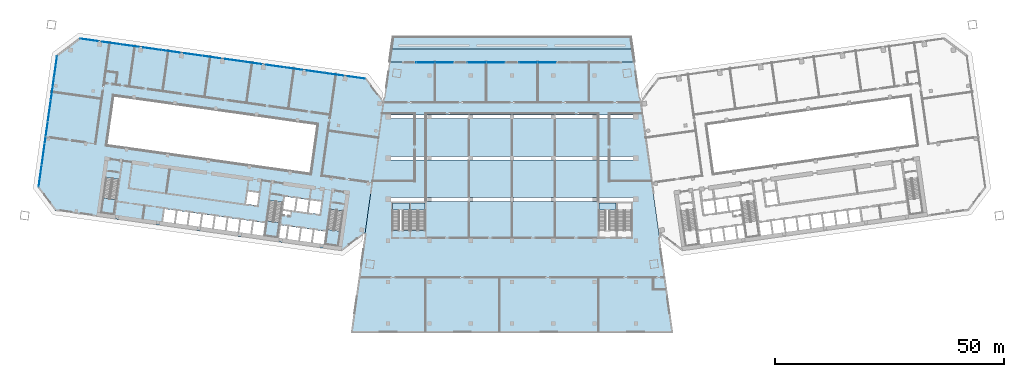
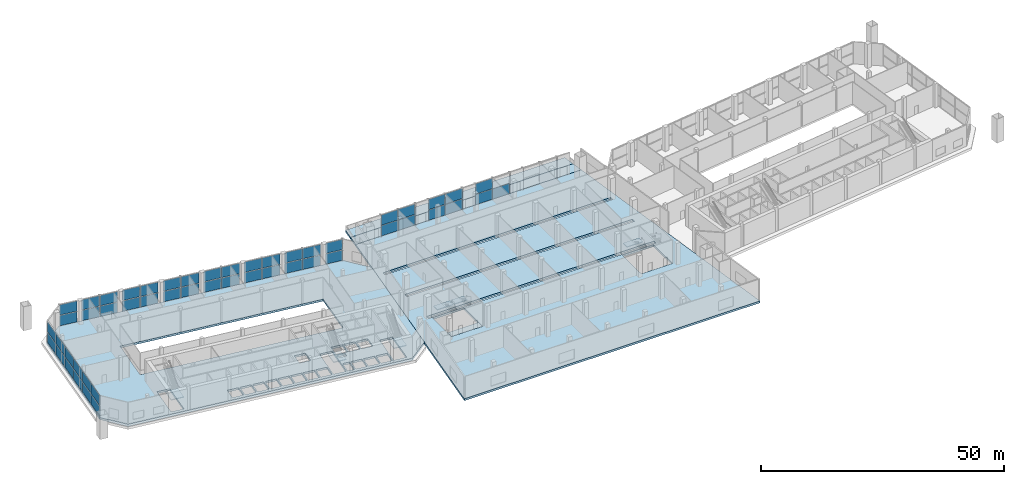
# One storey, part 7 of 24: 51 plates, 11 slabs, 11 elements without a shape of their own.
"""IFC4 building model written with IfcOpenShell, lengths in metres."""

from ifc_helpers import new_model, si_unit, direction, frame, origin, origin_2d, place, context, subcontext, project, spatial, polyline, rectangle, outline, extrude, material, layer, layer_set, type_object, element, aggregate, save


model = new_model("IFC4")

# Units and contexts
model_context = context("Model", 3, precision=1e-05, world=origin(), true_north=direction((0.0, 1.0)))
body_context = subcontext(model_context, "Body", "Model", "MODEL_VIEW")
ifc_project = project(units=[si_unit("LENGTHUNIT", "METRE"), si_unit("AREAUNIT", "SQUARE_METRE"), si_unit("VOLUMEUNIT", "CUBIC_METRE"), si_unit("PLANEANGLEUNIT", "RADIAN"), si_unit("MASSUNIT", "GRAM", prefix="KILO")], contexts=[model_context])

# Site, building, storey
site_placement = place(None, origin())
site = spatial("IfcSite", under=ifc_project, at=site_placement, CompositionType="ELEMENT")
building_placement = place(site_placement, origin())
building = spatial("IfcBuilding", under=site, at=building_placement, Name="Mirante Cascada Hotel Towers", CompositionType="ELEMENT")
storey_placement = place(building_placement, frame((0.0, 0.0, 17.5)))
storey = spatial("IfcBuildingStorey", under=building, at=storey_placement, Name="L02", CompositionType="ELEMENT", Elevation=17.5)

# Curtain wall, plates
ifc_material_1 = material(Name="Aluminium mullion and transom frame with clear laminated glass", Category="aluminium")
curtain_wall_type = type_object("IfcCurtainWallType", Name="Podium curtain wall ECW3", PredefinedType="NOTDEFINED", material=ifc_material_1)
curtain_wall_1_placement = place(storey_placement, origin())
curtain_wall_1 = element("IfcCurtainWall", 1, at=curtain_wall_1_placement, inside=storey, type_object=curtain_wall_type, Name="Front podium glazing T1 L02", PredefinedType="NOTDEFINED")
ifc_material_2 = material(Name="Clear laminated glass", Category="glass")
ifc_layer_1 = layer(ifc_material_2, 0.04)
ifc_layer_set_1 = layer_set([ifc_layer_1], Name="ECW3 glass panel 40")
plate_type = type_object("IfcPlateType", Name="ECW3 glass panel 40", PredefinedType="CURTAIN_PANEL", material=ifc_layer_set_1)
plate_1_placement = place(storey_placement, frame((-92.1787, 25.7739, 0.12), z_axis=(0.0, 0.0, 1.0), x_axis=(0.9902681, -0.1391731, 0.0)))
plate_1 = element("IfcPlate", 2, at=plate_1_placement, type_object=plate_type, Name="ECW3 panel 1", PredefinedType="CURTAIN_PANEL", context=body_context, shape_type="SweptSolid", body=[
    extrude(rectangle(XDim=3.8379, YDim=0.04, at=origin_2d()), origin(), (0.0, 0.0, 1.0), 2.57),
])
plate_2_placement = place(storey_placement, frame((-92.1787, 25.7739, 2.81), z_axis=(0.0, 0.0, 1.0), x_axis=(0.9902681, -0.1391731, 0.0)))
plate_2 = element("IfcPlate", 3, at=plate_2_placement, type_object=plate_type, Name="ECW3 panel 1", PredefinedType="CURTAIN_PANEL", context=body_context, shape_type="SweptSolid", body=[
    extrude(rectangle(XDim=3.8379, YDim=0.04, at=origin_2d()), origin(), (0.0, 0.0, 1.0), 2.57),
])
plate_3_placement = place(storey_placement, frame((-87.2757, 25.0848, 0.12), z_axis=(0.0, 0.0, 1.0), x_axis=(0.9902681, -0.1391731, 0.0)))
plate_3 = element("IfcPlate", 4, at=plate_3_placement, type_object=plate_type, Name="ECW3 panel 2", PredefinedType="CURTAIN_PANEL", context=body_context, shape_type="SweptSolid", body=[
    extrude(rectangle(XDim=3.9844, YDim=0.04, at=origin_2d()), origin(), (0.0, 0.0, 1.0), 2.57),
])
plate_4_placement = place(storey_placement, frame((-87.2757, 25.0848, 2.81), z_axis=(0.0, 0.0, 1.0), x_axis=(0.9902681, -0.1391731, 0.0)))
plate_4 = element("IfcPlate", 5, at=plate_4_placement, type_object=plate_type, Name="ECW3 panel 2", PredefinedType="CURTAIN_PANEL", context=body_context, shape_type="SweptSolid", body=[
    extrude(rectangle(XDim=3.9844, YDim=0.04, at=origin_2d()), origin(), (0.0, 0.0, 1.0), 2.57),
])
plate_5_placement = place(storey_placement, frame((-83.2949, 24.5254, 0.12), z_axis=(0.0, 0.0, 1.0), x_axis=(0.9902681, -0.1391731, 0.0)))
plate_5 = element("IfcPlate", 6, at=plate_5_placement, type_object=plate_type, Name="ECW3 panel 3", PredefinedType="CURTAIN_PANEL", context=body_context, shape_type="SweptSolid", body=[
    extrude(rectangle(XDim=3.8956, YDim=0.04, at=origin_2d()), origin(), (0.0, 0.0, 1.0), 2.57),
])
plate_6_placement = place(storey_placement, frame((-83.2949, 24.5254, 2.81), z_axis=(0.0, 0.0, 1.0), x_axis=(0.9902681, -0.1391731, 0.0)))
plate_6 = element("IfcPlate", 7, at=plate_6_placement, type_object=plate_type, Name="ECW3 panel 3", PredefinedType="CURTAIN_PANEL", context=body_context, shape_type="SweptSolid", body=[
    extrude(rectangle(XDim=3.8956, YDim=0.04, at=origin_2d()), origin(), (0.0, 0.0, 1.0), 2.57),
])
plate_7_placement = place(storey_placement, frame((-78.3721, 23.8335, 0.12), z_axis=(0.0, 0.0, 1.0), x_axis=(0.9902681, -0.1391731, 0.0)))
plate_7 = element("IfcPlate", 8, at=plate_7_placement, type_object=plate_type, Name="ECW3 panel 4", PredefinedType="CURTAIN_PANEL", context=body_context, shape_type="SweptSolid", body=[
    extrude(rectangle(XDim=3.9666, YDim=0.04, at=origin_2d()), origin(), (0.0, 0.0, 1.0), 2.57),
])
plate_8_placement = place(storey_placement, frame((-78.3721, 23.8335, 2.81), z_axis=(0.0, 0.0, 1.0), x_axis=(0.9902681, -0.1391731, 0.0)))
plate_8 = element("IfcPlate", 9, at=plate_8_placement, type_object=plate_type, Name="ECW3 panel 4", PredefinedType="CURTAIN_PANEL", context=body_context, shape_type="SweptSolid", body=[
    extrude(rectangle(XDim=3.9666, YDim=0.04, at=origin_2d()), origin(), (0.0, 0.0, 1.0), 2.57),
])
plate_9_placement = place(storey_placement, frame((-74.3912, 23.274, 0.12), z_axis=(0.0, 0.0, 1.0), x_axis=(0.9902681, -0.1391731, 0.0)))
plate_9 = element("IfcPlate", 10, at=plate_9_placement, type_object=plate_type, Name="ECW3 panel 5", PredefinedType="CURTAIN_PANEL", context=body_context, shape_type="SweptSolid", body=[
    extrude(rectangle(XDim=3.9134, YDim=0.04, at=origin_2d()), origin(), (0.0, 0.0, 1.0), 2.57),
])
plate_10_placement = place(storey_placement, frame((-74.3912, 23.274, 2.81), z_axis=(0.0, 0.0, 1.0), x_axis=(0.9902681, -0.1391731, 0.0)))
plate_10 = element("IfcPlate", 11, at=plate_10_placement, type_object=plate_type, Name="ECW3 panel 5", PredefinedType="CURTAIN_PANEL", context=body_context, shape_type="SweptSolid", body=[
    extrude(rectangle(XDim=3.9134, YDim=0.04, at=origin_2d()), origin(), (0.0, 0.0, 1.0), 2.57),
])
plate_11_placement = place(storey_placement, frame((-69.4685, 22.5822, 0.12), z_axis=(0.0, 0.0, 1.0), x_axis=(0.9902681, -0.1391731, 0.0)))
plate_11 = element("IfcPlate", 12, at=plate_11_placement, type_object=plate_type, Name="ECW3 panel 6", PredefinedType="CURTAIN_PANEL", context=body_context, shape_type="SweptSolid", body=[
    extrude(rectangle(XDim=3.9489, YDim=0.04, at=origin_2d()), origin(), (0.0, 0.0, 1.0), 2.57),
])
plate_12_placement = place(storey_placement, frame((-69.4685, 22.5822, 2.81), z_axis=(0.0, 0.0, 1.0), x_axis=(0.9902681, -0.1391731, 0.0)))
plate_12 = element("IfcPlate", 13, at=plate_12_placement, type_object=plate_type, Name="ECW3 panel 6", PredefinedType="CURTAIN_PANEL", context=body_context, shape_type="SweptSolid", body=[
    extrude(rectangle(XDim=3.9489, YDim=0.04, at=origin_2d()), origin(), (0.0, 0.0, 1.0), 2.57),
])
plate_13_placement = place(storey_placement, frame((-65.4876, 22.0227, 0.12), z_axis=(0.0, 0.0, 1.0), x_axis=(0.9902681, -0.1391731, 0.0)))
plate_13 = element("IfcPlate", 14, at=plate_13_placement, type_object=plate_type, Name="ECW3 panel 7", PredefinedType="CURTAIN_PANEL", context=body_context, shape_type="SweptSolid", body=[
    extrude(rectangle(XDim=3.9311, YDim=0.04, at=origin_2d()), origin(), (0.0, 0.0, 1.0), 2.57),
])
plate_14_placement = place(storey_placement, frame((-65.4876, 22.0227, 2.81), z_axis=(0.0, 0.0, 1.0), x_axis=(0.9902681, -0.1391731, 0.0)))
plate_14 = element("IfcPlate", 15, at=plate_14_placement, type_object=plate_type, Name="ECW3 panel 7", PredefinedType="CURTAIN_PANEL", context=body_context, shape_type="SweptSolid", body=[
    extrude(rectangle(XDim=3.9311, YDim=0.04, at=origin_2d()), origin(), (0.0, 0.0, 1.0), 2.57),
])
plate_15_placement = place(storey_placement, frame((-60.5649, 21.3309, 0.12), z_axis=(0.0, 0.0, 1.0), x_axis=(0.9902681, -0.1391731, 0.0)))
plate_15 = element("IfcPlate", 16, at=plate_15_placement, type_object=plate_type, Name="ECW3 panel 8", PredefinedType="CURTAIN_PANEL", context=body_context, shape_type="SweptSolid", body=[
    extrude(rectangle(XDim=3.9311, YDim=0.04, at=origin_2d()), origin(), (0.0, 0.0, 1.0), 2.57),
])
plate_16_placement = place(storey_placement, frame((-60.5649, 21.3309, 2.81), z_axis=(0.0, 0.0, 1.0), x_axis=(0.9902681, -0.1391731, 0.0)))
plate_16 = element("IfcPlate", 17, at=plate_16_placement, type_object=plate_type, Name="ECW3 panel 8", PredefinedType="CURTAIN_PANEL", context=body_context, shape_type="SweptSolid", body=[
    extrude(rectangle(XDim=3.9311, YDim=0.04, at=origin_2d()), origin(), (0.0, 0.0, 1.0), 2.57),
])
plate_17_placement = place(storey_placement, frame((-56.584, 20.7714, 0.12), z_axis=(0.0, 0.0, 1.0), x_axis=(0.9902681, -0.1391731, 0.0)))
plate_17 = element("IfcPlate", 18, at=plate_17_placement, type_object=plate_type, Name="ECW3 panel 9", PredefinedType="CURTAIN_PANEL", context=body_context, shape_type="SweptSolid", body=[
    extrude(rectangle(XDim=3.9489, YDim=0.04, at=origin_2d()), origin(), (0.0, 0.0, 1.0), 2.57),
])
plate_18_placement = place(storey_placement, frame((-56.584, 20.7714, 2.81), z_axis=(0.0, 0.0, 1.0), x_axis=(0.9902681, -0.1391731, 0.0)))
plate_18 = element("IfcPlate", 19, at=plate_18_placement, type_object=plate_type, Name="ECW3 panel 9", PredefinedType="CURTAIN_PANEL", context=body_context, shape_type="SweptSolid", body=[
    extrude(rectangle(XDim=3.9489, YDim=0.04, at=origin_2d()), origin(), (0.0, 0.0, 1.0), 2.57),
])
plate_19_placement = place(storey_placement, frame((-51.6612, 20.0795, 0.12), z_axis=(0.0, 0.0, 1.0), x_axis=(0.9902681, -0.1391731, 0.0)))
plate_19 = element("IfcPlate", 20, at=plate_19_placement, type_object=plate_type, Name="ECW3 panel 10", PredefinedType="CURTAIN_PANEL", context=body_context, shape_type="SweptSolid", body=[
    extrude(rectangle(XDim=3.9134, YDim=0.04, at=origin_2d()), origin(), (0.0, 0.0, 1.0), 2.57),
])
plate_20_placement = place(storey_placement, frame((-51.6612, 20.0795, 2.81), z_axis=(0.0, 0.0, 1.0), x_axis=(0.9902681, -0.1391731, 0.0)))
plate_20 = element("IfcPlate", 21, at=plate_20_placement, type_object=plate_type, Name="ECW3 panel 10", PredefinedType="CURTAIN_PANEL", context=body_context, shape_type="SweptSolid", body=[
    extrude(rectangle(XDim=3.9134, YDim=0.04, at=origin_2d()), origin(), (0.0, 0.0, 1.0), 2.57),
])
plate_21_placement = place(storey_placement, frame((-47.6804, 19.5201, 0.12), z_axis=(0.0, 0.0, 1.0), x_axis=(0.9902681, -0.1391731, 0.0)))
plate_21 = element("IfcPlate", 22, at=plate_21_placement, type_object=plate_type, Name="ECW3 panel 11", PredefinedType="CURTAIN_PANEL", context=body_context, shape_type="SweptSolid", body=[
    extrude(rectangle(XDim=3.9666, YDim=0.04, at=origin_2d()), origin(), (0.0, 0.0, 1.0), 2.57),
])
plate_22_placement = place(storey_placement, frame((-47.6804, 19.5201, 2.81), z_axis=(0.0, 0.0, 1.0), x_axis=(0.9902681, -0.1391731, 0.0)))
plate_22 = element("IfcPlate", 23, at=plate_22_placement, type_object=plate_type, Name="ECW3 panel 11", PredefinedType="CURTAIN_PANEL", context=body_context, shape_type="SweptSolid", body=[
    extrude(rectangle(XDim=3.9666, YDim=0.04, at=origin_2d()), origin(), (0.0, 0.0, 1.0), 2.57),
])
plate_23_placement = place(storey_placement, frame((-42.7576, 18.8282, 0.12), z_axis=(0.0, 0.0, 1.0), x_axis=(0.9902681, -0.1391731, 0.0)))
plate_23 = element("IfcPlate", 24, at=plate_23_placement, type_object=plate_type, Name="ECW3 panel 12", PredefinedType="CURTAIN_PANEL", context=body_context, shape_type="SweptSolid", body=[
    extrude(rectangle(XDim=3.8956, YDim=0.04, at=origin_2d()), origin(), (0.0, 0.0, 1.0), 2.57),
])
plate_24_placement = place(storey_placement, frame((-42.7576, 18.8282, 2.81), z_axis=(0.0, 0.0, 1.0), x_axis=(0.9902681, -0.1391731, 0.0)))
plate_24 = element("IfcPlate", 25, at=plate_24_placement, type_object=plate_type, Name="ECW3 panel 12", PredefinedType="CURTAIN_PANEL", context=body_context, shape_type="SweptSolid", body=[
    extrude(rectangle(XDim=3.8956, YDim=0.04, at=origin_2d()), origin(), (0.0, 0.0, 1.0), 2.57),
])
plate_25_placement = place(storey_placement, frame((-38.7767, 18.2687, 0.12), z_axis=(0.0, 0.0, 1.0), x_axis=(0.9902681, -0.1391731, 0.0)))
plate_25 = element("IfcPlate", 26, at=plate_25_placement, type_object=plate_type, Name="ECW3 panel 13", PredefinedType="CURTAIN_PANEL", context=body_context, shape_type="SweptSolid", body=[
    extrude(rectangle(XDim=3.9844, YDim=0.04, at=origin_2d()), origin(), (0.0, 0.0, 1.0), 2.57),
])
plate_26_placement = place(storey_placement, frame((-38.7767, 18.2687, 2.81), z_axis=(0.0, 0.0, 1.0), x_axis=(0.9902681, -0.1391731, 0.0)))
plate_26 = element("IfcPlate", 27, at=plate_26_placement, type_object=plate_type, Name="ECW3 panel 13", PredefinedType="CURTAIN_PANEL", context=body_context, shape_type="SweptSolid", body=[
    extrude(rectangle(XDim=3.9844, YDim=0.04, at=origin_2d()), origin(), (0.0, 0.0, 1.0), 2.57),
])
plate_27_placement = place(storey_placement, frame((-33.8738, 17.5797, 0.12), z_axis=(0.0, 0.0, 1.0), x_axis=(0.9902681, -0.1391731, 0.0)))
plate_27 = element("IfcPlate", 28, at=plate_27_placement, type_object=plate_type, Name="ECW3 panel 14", PredefinedType="CURTAIN_PANEL", context=body_context, shape_type="SweptSolid", body=[
    extrude(rectangle(XDim=3.8379, YDim=0.04, at=origin_2d()), origin(), (0.0, 0.0, 1.0), 2.57),
])
plate_28_placement = place(storey_placement, frame((-33.8738, 17.5797, 2.81), z_axis=(0.0, 0.0, 1.0), x_axis=(0.9902681, -0.1391731, 0.0)))
plate_28 = element("IfcPlate", 29, at=plate_28_placement, type_object=plate_type, Name="ECW3 panel 14", PredefinedType="CURTAIN_PANEL", context=body_context, shape_type="SweptSolid", body=[
    extrude(rectangle(XDim=3.8379, YDim=0.04, at=origin_2d()), origin(), (0.0, 0.0, 1.0), 2.57),
])
aggregate(curtain_wall_1, [plate_1, plate_2, plate_3, plate_4, plate_5, plate_6, plate_7, plate_8, plate_9, plate_10, plate_11, plate_12, plate_13, plate_14, plate_15, plate_16, plate_17, plate_18, plate_19, plate_20, plate_21, plate_22, plate_23, plate_24, plate_25, plate_26, plate_27, plate_28])

curtain_wall_2_placement = place(storey_placement, origin())
curtain_wall_2 = element("IfcCurtainWall", 30, at=curtain_wall_2_placement, inside=storey, type_object=curtain_wall_type, Name="Outer end podium glazing T1 L02", PredefinedType="NOTDEFINED")
plate_29_placement = place(storey_placement, frame((-102.8224, -3.8951, 0.12), z_axis=(0.0, 0.0, 1.0), x_axis=(0.1391731, 0.9902681, 0.0)))
plate_29 = element("IfcPlate", 31, at=plate_29_placement, type_object=plate_type, Name="ECW3 panel 1", PredefinedType="CURTAIN_PANEL", context=body_context, shape_type="SweptSolid", body=[
    extrude(rectangle(XDim=4.6926, YDim=0.04, at=origin_2d()), origin(), (0.0, 0.0, 1.0), 2.57),
])
plate_30_placement = place(storey_placement, frame((-102.8224, -3.8951, 2.81), z_axis=(0.0, 0.0, 1.0), x_axis=(0.1391731, 0.9902681, 0.0)))
plate_30 = element("IfcPlate", 32, at=plate_30_placement, type_object=plate_type, Name="ECW3 panel 1", PredefinedType="CURTAIN_PANEL", context=body_context, shape_type="SweptSolid", body=[
    extrude(rectangle(XDim=4.6926, YDim=0.04, at=origin_2d()), origin(), (0.0, 0.0, 1.0), 2.57),
])
plate_31_placement = place(storey_placement, frame((-102.1554, 0.8509, 0.12), z_axis=(0.0, 0.0, 1.0), x_axis=(0.1391731, 0.9902681, 0.0)))
plate_31 = element("IfcPlate", 33, at=plate_31_placement, type_object=plate_type, Name="ECW3 panel 2", PredefinedType="CURTAIN_PANEL", context=body_context, shape_type="SweptSolid", body=[
    extrude(rectangle(XDim=4.7326, YDim=0.04, at=origin_2d()), origin(), (0.0, 0.0, 1.0), 2.57),
])
plate_32_placement = place(storey_placement, frame((-102.1554, 0.8509, 2.81), z_axis=(0.0, 0.0, 1.0), x_axis=(0.1391731, 0.9902681, 0.0)))
plate_32 = element("IfcPlate", 34, at=plate_32_placement, type_object=plate_type, Name="ECW3 panel 2", PredefinedType="CURTAIN_PANEL", context=body_context, shape_type="SweptSolid", body=[
    extrude(rectangle(XDim=4.7326, YDim=0.04, at=origin_2d()), origin(), (0.0, 0.0, 1.0), 2.57),
])
plate_33_placement = place(storey_placement, frame((-101.4857, 5.6167, 0.12), z_axis=(0.0, 0.0, 1.0), x_axis=(0.1391731, 0.9902681, 0.0)))
plate_33 = element("IfcPlate", 35, at=plate_33_placement, type_object=plate_type, Name="ECW3 panel 3", PredefinedType="CURTAIN_PANEL", context=body_context, shape_type="SweptSolid", body=[
    extrude(rectangle(XDim=4.7326, YDim=0.04, at=origin_2d()), origin(), (0.0, 0.0, 1.0), 2.57),
])
plate_34_placement = place(storey_placement, frame((-101.4857, 5.6167, 2.81), z_axis=(0.0, 0.0, 1.0), x_axis=(0.1391731, 0.9902681, 0.0)))
plate_34 = element("IfcPlate", 36, at=plate_34_placement, type_object=plate_type, Name="ECW3 panel 3", PredefinedType="CURTAIN_PANEL", context=body_context, shape_type="SweptSolid", body=[
    extrude(rectangle(XDim=4.7326, YDim=0.04, at=origin_2d()), origin(), (0.0, 0.0, 1.0), 2.57),
])
plate_35_placement = place(storey_placement, frame((-100.8159, 10.3825, 0.12), z_axis=(0.0, 0.0, 1.0), x_axis=(0.1391731, 0.9902681, 0.0)))
plate_35 = element("IfcPlate", 37, at=plate_35_placement, type_object=plate_type, Name="ECW3 panel 4", PredefinedType="CURTAIN_PANEL", context=body_context, shape_type="SweptSolid", body=[
    extrude(rectangle(XDim=4.7326, YDim=0.04, at=origin_2d()), origin(), (0.0, 0.0, 1.0), 2.57),
])
plate_36_placement = place(storey_placement, frame((-100.8159, 10.3825, 2.81), z_axis=(0.0, 0.0, 1.0), x_axis=(0.1391731, 0.9902681, 0.0)))
plate_36 = element("IfcPlate", 38, at=plate_36_placement, type_object=plate_type, Name="ECW3 panel 4", PredefinedType="CURTAIN_PANEL", context=body_context, shape_type="SweptSolid", body=[
    extrude(rectangle(XDim=4.7326, YDim=0.04, at=origin_2d()), origin(), (0.0, 0.0, 1.0), 2.57),
])
plate_37_placement = place(storey_placement, frame((-100.1461, 15.1483, 0.12), z_axis=(0.0, 0.0, 1.0), x_axis=(0.1391731, 0.9902681, 0.0)))
plate_37 = element("IfcPlate", 39, at=plate_37_placement, type_object=plate_type, Name="ECW3 panel 5", PredefinedType="CURTAIN_PANEL", context=body_context, shape_type="SweptSolid", body=[
    extrude(rectangle(XDim=4.7326, YDim=0.04, at=origin_2d()), origin(), (0.0, 0.0, 1.0), 2.57),
])
plate_38_placement = place(storey_placement, frame((-100.1461, 15.1483, 2.81), z_axis=(0.0, 0.0, 1.0), x_axis=(0.1391731, 0.9902681, 0.0)))
plate_38 = element("IfcPlate", 40, at=plate_38_placement, type_object=plate_type, Name="ECW3 panel 5", PredefinedType="CURTAIN_PANEL", context=body_context, shape_type="SweptSolid", body=[
    extrude(rectangle(XDim=4.7326, YDim=0.04, at=origin_2d()), origin(), (0.0, 0.0, 1.0), 2.57),
])
plate_39_placement = place(storey_placement, frame((-99.4791, 19.8942, 0.12), z_axis=(0.0, 0.0, 1.0), x_axis=(0.1391731, 0.9902681, 0.0)))
plate_39 = element("IfcPlate", 41, at=plate_39_placement, type_object=plate_type, Name="ECW3 panel 6", PredefinedType="CURTAIN_PANEL", context=body_context, shape_type="SweptSolid", body=[
    extrude(rectangle(XDim=4.6926, YDim=0.04, at=origin_2d()), origin(), (0.0, 0.0, 1.0), 2.57),
])
plate_40_placement = place(storey_placement, frame((-99.4791, 19.8942, 2.81), z_axis=(0.0, 0.0, 1.0), x_axis=(0.1391731, 0.9902681, 0.0)))
plate_40 = element("IfcPlate", 42, at=plate_40_placement, type_object=plate_type, Name="ECW3 panel 6", PredefinedType="CURTAIN_PANEL", context=body_context, shape_type="SweptSolid", body=[
    extrude(rectangle(XDim=4.6926, YDim=0.04, at=origin_2d()), origin(), (0.0, 0.0, 1.0), 2.57),
])
aggregate(curtain_wall_2, [plate_29, plate_30, plate_31, plate_32, plate_33, plate_34, plate_35, plate_36, plate_37, plate_38, plate_39, plate_40])

curtain_wall_3_placement = place(storey_placement, origin())
curtain_wall_3 = element("IfcCurtainWall", 43, at=curtain_wall_3_placement, inside=storey, type_object=curtain_wall_type, Name="Podium curtain wall L02 run 4.4", PredefinedType="NOTDEFINED")
plate_41_placement = place(storey_placement, frame((7.6338, 20.85, 0.12), z_axis=(0.0, 0.0, 1.0), x_axis=(-1.0, 0.0, 0.0)))
plate_41 = element("IfcPlate", 44, at=plate_41_placement, type_object=plate_type, Name="ECW3 panel 1", PredefinedType="CURTAIN_PANEL", context=body_context, shape_type="SweptSolid", body=[
    extrude(rectangle(XDim=3.9825, YDim=0.04, at=origin_2d()), origin(), (0.0, 0.0, 1.0), 2.57),
])
plate_42_placement = place(storey_placement, frame((3.5712, 20.85, 0.12), z_axis=(0.0, 0.0, 1.0), x_axis=(-1.0, 0.0, 0.0)))
plate_42 = element("IfcPlate", 45, at=plate_42_placement, type_object=plate_type, Name="ECW3 panel 2", PredefinedType="CURTAIN_PANEL", context=body_context, shape_type="SweptSolid", body=[
    extrude(rectangle(XDim=3.9825, YDim=0.04, at=origin_2d()), origin(), (0.0, 0.0, 1.0), 2.57),
])
plate_43_placement = place(storey_placement, frame((3.5712, 20.85, 2.81), z_axis=(0.0, 0.0, 1.0), x_axis=(-1.0, 0.0, 0.0)))
plate_43 = element("IfcPlate", 46, at=plate_43_placement, type_object=plate_type, Name="ECW3 panel 2", PredefinedType="CURTAIN_PANEL", context=body_context, shape_type="SweptSolid", body=[
    extrude(rectangle(XDim=3.9825, YDim=0.04, at=origin_2d()), origin(), (0.0, 0.0, 1.0), 2.57),
])
aggregate(curtain_wall_3, [plate_41, plate_42, plate_43])

curtain_wall_4_placement = place(storey_placement, origin())
curtain_wall_4 = element("IfcCurtainWall", 47, at=curtain_wall_4_placement, inside=storey, type_object=curtain_wall_type, Name="Podium curtain wall L02 run 4.6", PredefinedType="NOTDEFINED")
plate_44_placement = place(storey_placement, frame((-3.5713, 20.85, 0.12), z_axis=(0.0, 0.0, 1.0), x_axis=(-1.0, 0.0, 0.0)))
plate_44 = element("IfcPlate", 48, at=plate_44_placement, type_object=plate_type, Name="ECW3 panel 1", PredefinedType="CURTAIN_PANEL", context=body_context, shape_type="SweptSolid", body=[
    extrude(rectangle(XDim=3.9825, YDim=0.04, at=origin_2d()), origin(), (0.0, 0.0, 1.0), 2.57),
])
plate_45_placement = place(storey_placement, frame((-3.5713, 20.85, 2.81), z_axis=(0.0, 0.0, 1.0), x_axis=(-1.0, 0.0, 0.0)))
plate_45 = element("IfcPlate", 49, at=plate_45_placement, type_object=plate_type, Name="ECW3 panel 1", PredefinedType="CURTAIN_PANEL", context=body_context, shape_type="SweptSolid", body=[
    extrude(rectangle(XDim=3.9825, YDim=0.04, at=origin_2d()), origin(), (0.0, 0.0, 1.0), 2.57),
])
plate_46_placement = place(storey_placement, frame((-7.6338, 20.85, 0.12), z_axis=(0.0, 0.0, 1.0), x_axis=(-1.0, 0.0, 0.0)))
plate_46 = element("IfcPlate", 50, at=plate_46_placement, type_object=plate_type, Name="ECW3 panel 2", PredefinedType="CURTAIN_PANEL", context=body_context, shape_type="SweptSolid", body=[
    extrude(rectangle(XDim=3.9825, YDim=0.04, at=origin_2d()), origin(), (0.0, 0.0, 1.0), 2.57),
])
plate_47_placement = place(storey_placement, frame((-7.6338, 20.85, 2.81), z_axis=(0.0, 0.0, 1.0), x_axis=(-1.0, 0.0, 0.0)))
plate_47 = element("IfcPlate", 51, at=plate_47_placement, type_object=plate_type, Name="ECW3 panel 2", PredefinedType="CURTAIN_PANEL", context=body_context, shape_type="SweptSolid", body=[
    extrude(rectangle(XDim=3.9825, YDim=0.04, at=origin_2d()), origin(), (0.0, 0.0, 1.0), 2.57),
])
aggregate(curtain_wall_4, [plate_44, plate_45, plate_46, plate_47])

curtain_wall_5_placement = place(storey_placement, origin())
curtain_wall_5 = element("IfcCurtainWall", 52, at=curtain_wall_5_placement, inside=storey, type_object=curtain_wall_type, Name="Podium curtain wall L02 run 4.8", PredefinedType="NOTDEFINED")
plate_48_placement = place(storey_placement, frame((-14.776, 20.85, 0.12), z_axis=(0.0, 0.0, 1.0), x_axis=(-1.0, 0.0, 0.0)))
plate_48 = element("IfcPlate", 53, at=plate_48_placement, type_object=plate_type, Name="ECW3 panel 1", PredefinedType="CURTAIN_PANEL", context=body_context, shape_type="SweptSolid", body=[
    extrude(rectangle(XDim=3.982, YDim=0.04, at=origin_2d()), origin(), (0.0, 0.0, 1.0), 2.57),
])
plate_49_placement = place(storey_placement, frame((-14.776, 20.85, 2.81), z_axis=(0.0, 0.0, 1.0), x_axis=(-1.0, 0.0, 0.0)))
plate_49 = element("IfcPlate", 54, at=plate_49_placement, type_object=plate_type, Name="ECW3 panel 1", PredefinedType="CURTAIN_PANEL", context=body_context, shape_type="SweptSolid", body=[
    extrude(rectangle(XDim=3.982, YDim=0.04, at=origin_2d()), origin(), (0.0, 0.0, 1.0), 2.57),
])
plate_50_placement = place(storey_placement, frame((-18.838, 20.85, 0.12), z_axis=(0.0, 0.0, 1.0), x_axis=(-1.0, 0.0, 0.0)))
plate_50 = element("IfcPlate", 55, at=plate_50_placement, type_object=plate_type, Name="ECW3 panel 2", PredefinedType="CURTAIN_PANEL", context=body_context, shape_type="SweptSolid", body=[
    extrude(rectangle(XDim=3.982, YDim=0.04, at=origin_2d()), origin(), (0.0, 0.0, 1.0), 2.57),
])
plate_51_placement = place(storey_placement, frame((-18.838, 20.85, 2.81), z_axis=(0.0, 0.0, 1.0), x_axis=(-1.0, 0.0, 0.0)))
plate_51 = element("IfcPlate", 56, at=plate_51_placement, type_object=plate_type, Name="ECW3 panel 2", PredefinedType="CURTAIN_PANEL", context=body_context, shape_type="SweptSolid", body=[
    extrude(rectangle(XDim=3.982, YDim=0.04, at=origin_2d()), origin(), (0.0, 0.0, 1.0), 2.57),
])
aggregate(curtain_wall_5, [plate_48, plate_49, plate_50, plate_51])

# Stair, slab
ifc_material_3 = material(Name="Concrete C35/45", Category="concrete")
stair_type_1 = type_object("IfcStairType", Name="Exit stair half-turn 1350 concrete C35/45", PredefinedType="HALF_TURN_STAIR", material=ifc_material_3)
stair_1_placement = place(storey_placement, origin())
stair_1 = element("IfcStair", 57, at=stair_1_placement, inside=storey, type_object=stair_type_1, Name="L02 Exit stair A", PredefinedType="HALF_TURN_STAIR")
ifc_material_4 = material(Name="Concrete C35/45", Category="concrete")
ifc_layer_2 = layer(ifc_material_4, 0.2)
ifc_layer_set_2 = layer_set([ifc_layer_2], Name="Exit stair landing 200 concrete C35/45")
slab_type_1 = type_object("IfcSlabType", Name="Exit stair landing 200 concrete C35/45", PredefinedType="LANDING", material=ifc_layer_set_2)
slab_1_placement = place(storey_placement, frame((0.0, 0.0, 2.8)))
slab_1 = element("IfcSlab", 58, at=slab_1_placement, type_object=slab_type_1, Name="ST1-A landing 1", PredefinedType="LANDING", context=body_context, shape_type="SweptSolid", body=[
    extrude(outline(polyline([(-40.2325, -15.5296), (-40.6887, -18.7757), (-37.8665, -19.1723), (-37.4103, -15.9262), (-40.2325, -15.5296)])), origin(), (0.0, 0.0, 1.0), 0.2),
])
aggregate(stair_1, [slab_1])

stair_2_placement = place(storey_placement, origin())
stair_2 = element("IfcStair", 59, at=stair_2_placement, inside=storey, type_object=stair_type_1, Name="L02 Exit stair B", PredefinedType="HALF_TURN_STAIR")
slab_2_placement = place(storey_placement, frame((0.0, 0.0, 2.8)))
slab_2 = element("IfcSlab", 60, at=slab_2_placement, type_object=slab_type_1, Name="ST1-B landing 1", PredefinedType="LANDING", context=body_context, shape_type="SweptSolid", body=[
    extrude(outline(polyline([(-53.4526, -13.6716), (-53.9088, -16.9177), (-51.0866, -17.3144), (-50.6304, -14.0683), (-53.4526, -13.6716)])), origin(), (0.0, 0.0, 1.0), 0.2),
])
aggregate(stair_2, [slab_2])

stair_3_placement = place(storey_placement, origin())
stair_3 = element("IfcStair", 61, at=stair_3_placement, inside=storey, type_object=stair_type_1, Name="L02 Exit stair C", PredefinedType="HALF_TURN_STAIR")
slab_3_placement = place(storey_placement, frame((0.0, 0.0, 2.8)))
slab_3 = element("IfcSlab", 62, at=slab_3_placement, type_object=slab_type_1, Name="ST1-C landing 1", PredefinedType="LANDING", context=body_context, shape_type="SweptSolid", body=[
    extrude(outline(polyline([(-89.1023, -8.6614), (-89.5585, -11.9075), (-86.7362, -12.3041), (-86.28, -9.058), (-89.1023, -8.6614)])), origin(), (0.0, 0.0, 1.0), 0.2),
])
aggregate(stair_3, [slab_3])

# Slab
ifc_material_5 = material(Name="Concrete C35/45", Category="concrete")
ifc_layer_3 = layer(ifc_material_5, 0.5)
ifc_layer_set_3 = layer_set([ifc_layer_3], Name="Floor slab 500 C35/45")
slab_type_2 = type_object("IfcSlabType", Name="Floor slab 500 C35/45", PredefinedType="FLOOR", material=ifc_layer_set_3)
slab_4_placement = place(storey_placement, frame((0.0, 0.0, -0.5)))
element("IfcSlab", 63, at=slab_4_placement, inside=storey, type_object=slab_type_2, Name="Podium floor slab L02", PredefinedType="FLOOR", context=body_context, shape_type="SweptSolid", body=[
    extrude(outline(polyline([(26.7676, 21.0), (35.0595, -38.0), (-35.0595, -38.0), (-26.7676, 21.0), (26.7676, 21.0)]), holes=[polyline([(-27.0, -0.4), (27.0, -0.4), (27.0, 0.4), (-27.0, 0.4), (-27.0, -0.4)]), polyline([(-27.0, 8.6), (27.0, 8.6), (27.0, 9.4), (-27.0, 9.4), (-27.0, 8.6)]), polyline([(27.0, -9.4), (27.0, -8.6), (-27.0, -8.6), (-27.0, -9.4), (27.0, -9.4)]), polyline([(26.2, -9.6), (18.8, -9.6), (18.8, -17.4), (26.2, -17.4), (26.2, -9.6)]), polyline([(-18.8, -9.6), (-26.2, -9.6), (-26.2, -17.4), (-18.8, -17.4), (-18.8, -9.6)])]), origin(), (0.0, 0.0, 1.0), 0.5),
])

# Stair, slab
ifc_material_6 = material(Name="Concrete C35/45", Category="concrete")
stair_type_2 = type_object("IfcStairType", Name="Podium exit stair half-turn 1500 concrete C35/45", PredefinedType="HALF_TURN_STAIR", material=ifc_material_6)
stair_4_placement = place(storey_placement, origin())
stair_4 = element("IfcStair", 64, at=stair_4_placement, inside=storey, type_object=stair_type_2, Name="L02 Podium exit stair 3", PredefinedType="HALF_TURN_STAIR")
ifc_material_7 = material(Name="Concrete C35/45", Category="concrete")
ifc_layer_4 = layer(ifc_material_7, 0.2)
ifc_layer_set_4 = layer_set([ifc_layer_4], Name="Podium exit stair landing 200 concrete C35/45")
slab_type_3 = type_object("IfcSlabType", Name="Podium exit stair landing 200 concrete C35/45", PredefinedType="LANDING", material=ifc_layer_set_4)
slab_5_placement = place(storey_placement, frame((0.0, 0.0, 2.8)))
slab_5 = element("IfcSlab", 65, at=slab_5_placement, type_object=slab_type_3, Name="PS1 landing 1", PredefinedType="LANDING", context=body_context, shape_type="SweptSolid", body=[
    extrude(outline(polyline([(-18.925, -11.295), (-18.925, -9.725), (-22.075, -9.725), (-22.075, -11.295), (-18.925, -11.295)])), origin(), (0.0, 0.0, 1.0), 0.2),
])
aggregate(stair_4, [slab_5])

stair_5_placement = place(storey_placement, origin())
stair_5 = element("IfcStair", 66, at=stair_5_placement, inside=storey, type_object=stair_type_2, Name="L02 Podium exit stair 5", PredefinedType="HALF_TURN_STAIR")
slab_6_placement = place(storey_placement, frame((0.0, 0.0, 2.8)))
slab_6 = element("IfcSlab", 67, at=slab_6_placement, type_object=slab_type_3, Name="PS3 landing 1", PredefinedType="LANDING", context=body_context, shape_type="SweptSolid", body=[
    extrude(outline(polyline([(-22.325, -11.295), (-22.325, -9.725), (-26.075, -9.725), (-26.075, -11.295), (-22.325, -11.295)])), origin(), (0.0, 0.0, 1.0), 0.2),
])
aggregate(stair_5, [slab_6])

stair_6_placement = place(storey_placement, origin())
stair_6 = element("IfcStair", 68, at=stair_6_placement, inside=storey, type_object=stair_type_2, Name="L02 Podium exit stair 6", PredefinedType="HALF_TURN_STAIR")
slab_7_placement = place(storey_placement, frame((0.0, 0.0, 2.8)))
slab_7 = element("IfcSlab", 69, at=slab_7_placement, type_object=slab_type_3, Name="PS4 landing 1", PredefinedType="LANDING", context=body_context, shape_type="SweptSolid", body=[
    extrude(outline(polyline([(22.675, -11.295), (22.675, -9.725), (18.925, -9.725), (18.925, -11.295), (22.675, -11.295)])), origin(), (0.0, 0.0, 1.0), 0.2),
])
aggregate(stair_6, [slab_7])

# Slabs
ifc_material_8 = material(Name="Concrete C40/50", Category="concrete")
ifc_layer_5 = layer(ifc_material_8, 0.5)
ifc_layer_set_5 = layer_set([ifc_layer_5], Name="Post-tensioned flat plate 500 Concrete C40/50")
slab_type_4 = type_object("IfcSlabType", Name="Post-tensioned flat plate 500 Concrete C40/50", PredefinedType="FLOOR", material=ifc_layer_set_5)
slab_8_placement = place(storey_placement, frame((0.0, 0.0, -0.5)))
element("IfcSlab", 70, at=slab_8_placement, inside=storey, type_object=slab_type_4, Name="Floor T1 L02", PredefinedType="FLOOR", context=body_context, shape_type="SweptSolid", body=[
    extrude(outline(polyline([(-32.018, -16.3589), (-27.982, 12.3589), (-31.8119, 17.4414), (-94.1988, 26.2093), (-99.2813, 22.3794), (-103.3173, -6.3384), (-99.4874, -11.4209), (-37.1005, -20.1888), (-32.018, -16.3589)]), holes=[polyline([(-43.0718, -15.6132), (-40.5961, -15.9612), (-40.9858, -18.7339), (-43.4615, -18.386), (-43.0718, -15.6132)]), polyline([(-45.8446, -15.2236), (-43.3689, -15.5715), (-43.7586, -18.3442), (-46.2342, -17.9963), (-45.8446, -15.2236)]), polyline([(-48.6173, -14.8339), (-46.1416, -15.1818), (-46.5313, -17.9546), (-49.007, -17.6066), (-48.6173, -14.8339)]), polyline([(-50.7895, -17.3561), (-50.3998, -14.5834), (-48.9144, -14.7921), (-49.3041, -17.5649), (-50.7895, -17.3561)]), polyline([(-56.6816, -16.528), (-56.2919, -13.7553), (-53.8162, -14.1032), (-54.2059, -16.876), (-56.6816, -16.528)]), polyline([(-36.7887, -11.5037), (-37.8665, -19.1723), (-40.6887, -18.7757), (-39.611, -11.107), (-36.7887, -11.5037)]), polyline([(-50.0088, -9.6457), (-51.0866, -17.3144), (-53.9088, -16.9177), (-52.8311, -9.2491), (-50.0088, -9.6457)]), polyline([(-49.9544, -11.4145), (-48.1472, -11.6685), (-48.2829, -12.634), (-50.0901, -12.38), (-49.9544, -11.4145)]), polyline([(-44.3672, -11.8968), (-43.9775, -9.124), (-41.5018, -9.472), (-41.8915, -12.2447), (-44.3672, -11.8968)]), polyline([(-47.1399, -11.5071), (-46.7503, -8.7344), (-44.2746, -9.0823), (-44.6643, -11.855), (-47.1399, -11.5071)]), polyline([(-49.523, -8.3447), (-47.0473, -8.6926), (-47.437, -11.4654), (-49.9127, -11.1174), (-49.523, -8.3447)]), polyline([(-59.0646, -13.3656), (-56.589, -13.7135), (-56.9787, -16.4863), (-59.4543, -16.1383), (-59.0646, -13.3656)]), polyline([(-61.8374, -12.9759), (-59.3617, -13.3238), (-59.7514, -16.0966), (-62.2271, -15.7487), (-61.8374, -12.9759)]), polyline([(-64.9998, -15.359), (-64.6101, -12.5862), (-62.1345, -12.9342), (-62.5242, -15.7069), (-64.9998, -15.359)]), polyline([(-67.7726, -14.9693), (-67.3829, -12.1965), (-64.9072, -12.5445), (-65.2969, -15.3172), (-67.7726, -14.9693)]), polyline([(-70.1556, -11.8069), (-67.68, -12.1548), (-68.0697, -14.9275), (-70.5453, -14.5796), (-70.1556, -11.8069)]), polyline([(-73.3181, -14.1899), (-72.9284, -11.4172), (-70.4527, -11.7651), (-70.8424, -14.5379), (-73.3181, -14.1899)]), polyline([(-76.0908, -13.8002), (-75.7011, -11.0275), (-73.2255, -11.3754), (-73.6152, -14.1482), (-76.0908, -13.8002)]), polyline([(-85.6585, -4.6355), (-86.7362, -12.3041), (-89.5585, -11.9075), (-88.4807, -4.2388), (-85.6585, -4.6355)]), polyline([(-57.9834, -9.9832), (-57.5937, -7.2104), (-55.118, -7.5583), (-55.5077, -10.3311), (-57.9834, -9.9832)]), polyline([(-88.4039, 2.7747), (-86.873, 13.6677), (-42.3109, 7.4049), (-43.8418, -3.4881), (-88.4039, 2.7747)])]), origin(), (0.0, 0.0, 1.0), 0.5),
])
ifc_material_9 = material(Name="Concrete C35/45", Category="concrete")
ifc_layer_6 = layer(ifc_material_9, 0.5)
ifc_layer_set_6 = layer_set([ifc_layer_6], Name="Stair floor landing 500 concrete C35/45")
slab_type_5 = type_object("IfcSlabType", Name="Stair floor landing 500 concrete C35/45", PredefinedType="LANDING", material=ifc_layer_set_6)
slab_9_placement = place(storey_placement, frame((0.0, 0.0, -0.5)))
element("IfcSlab", 71, at=slab_9_placement, inside=storey, type_object=slab_type_5, Name="Exit stair 3 floor landing L02", PredefinedType="LANDING", context=body_context, shape_type="SweptSolid", body=[
    extrude(outline(polyline([(-26.2, -17.4), (-18.8, -17.4), (-18.8, -15.775), (-26.2, -15.775), (-26.2, -17.4)])), origin(), (0.0, 0.0, 1.0), 0.5),
])
ifc_material_10 = material(Name="Concrete C35/45", Category="concrete")
ifc_layer_7 = layer(ifc_material_10, 0.5)
ifc_layer_set_7 = layer_set([ifc_layer_7], Name="Terrace slab 500 C35/45")
slab_type_6 = type_object("IfcSlabType", Name="Terrace slab 500 C35/45", PredefinedType="ROOF", material=ifc_layer_set_7)
slab_10_placement = place(storey_placement, frame((0.0, 0.0, -0.5)))
element("IfcSlab", 72, at=slab_10_placement, inside=storey, type_object=slab_type_6, Name="Planted terrace slab above L01", PredefinedType="ROOF", context=body_context, shape_type="SweptSolid", body=[
    extrude(outline(polyline([(26.7676, 21.0), (-26.7676, 21.0), (-26.3811, 23.75), (26.3811, 23.75), (26.7676, 21.0)])), origin(), (0.0, 0.0, 1.0), 0.5),
])
slab_11_placement = place(storey_placement, frame((0.0, 0.0, -0.5)))
element("IfcSlab", 73, at=slab_11_placement, inside=storey, type_object=slab_type_6, Name="Planted terrace slab above L01", PredefinedType="ROOF", context=body_context, shape_type="SweptSolid", body=[
    extrude(outline(polyline([(25.9946, 26.5), (26.3811, 23.75), (-26.3811, 23.75), (-25.9946, 26.5), (25.9946, 26.5)])), origin(), (0.0, 0.0, 1.0), 0.5),
])

save(model, "model.ifc")
